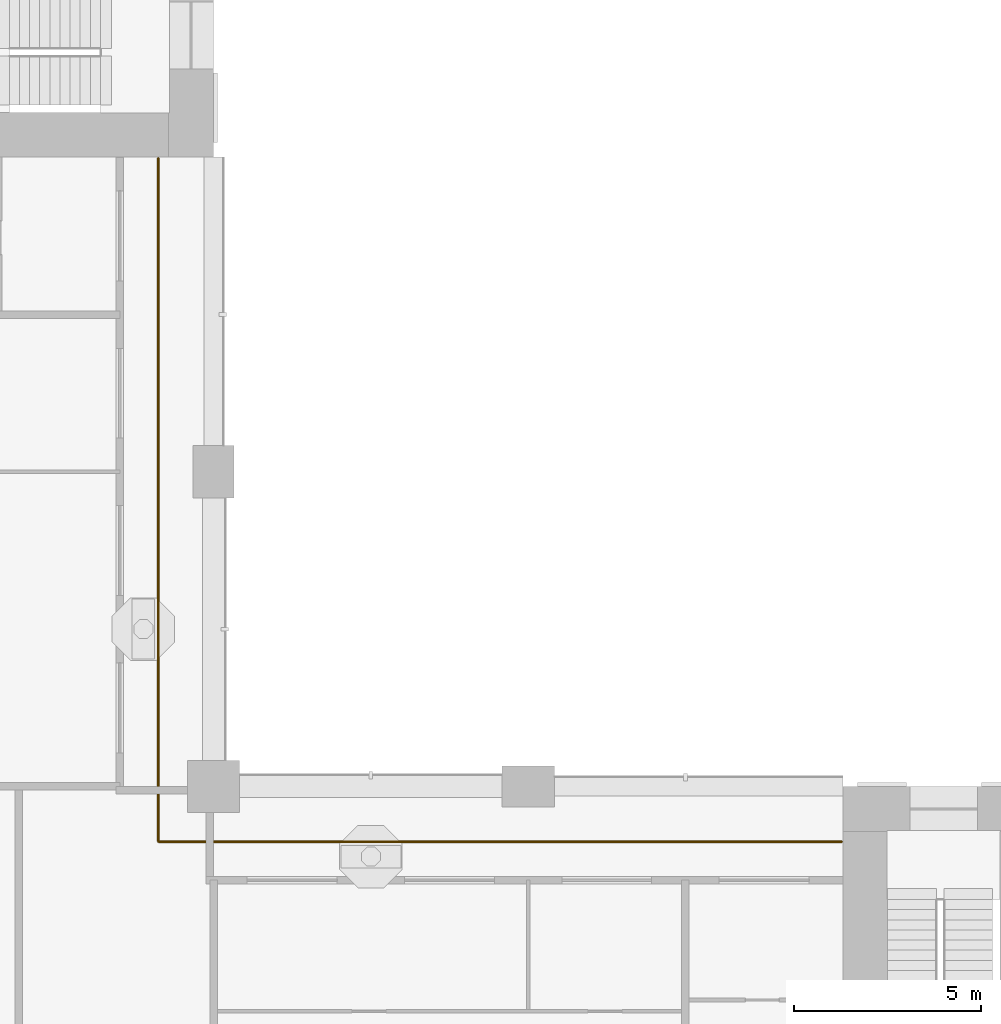
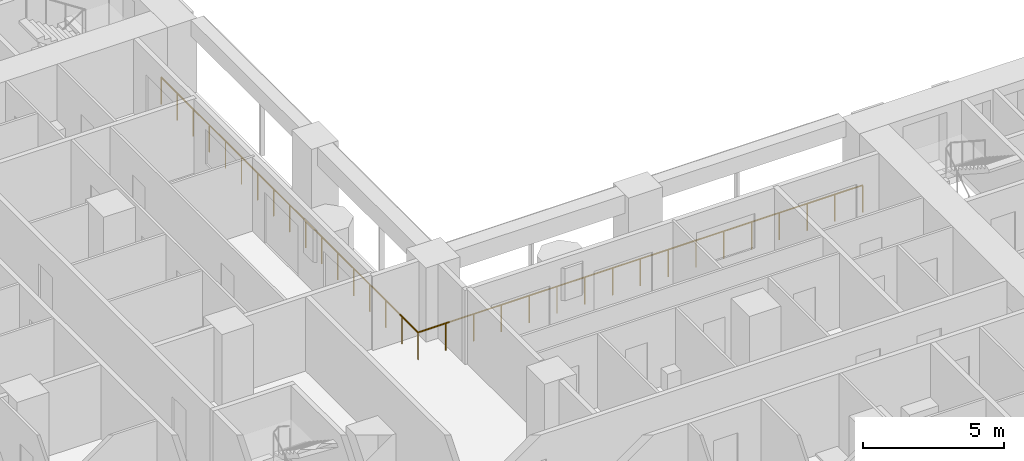
# One storey, part 17 of 22: 1 railing.
"""IFC4 building model written with IfcOpenShell, lengths in metres."""

from ifc_helpers import new_model, si_unit, direction, frame, origin, origin_2d, place, context, subcontext, project, spatial, circle, extrude, material, type_object, element, save


model = new_model("IFC4")

# Units and contexts
model_context = context("Model", 3, precision=1e-05, world=origin(), true_north=direction((0.0, 1.0)))
body_context = subcontext(model_context, "Body", "Model", "MODEL_VIEW")
ifc_project = project(units=[si_unit("LENGTHUNIT", "METRE"), si_unit("AREAUNIT", "SQUARE_METRE"), si_unit("VOLUMEUNIT", "CUBIC_METRE"), si_unit("PLANEANGLEUNIT", "RADIAN"), si_unit("MASSUNIT", "GRAM", prefix="KILO")], contexts=[model_context])

# Site, building, storey
site_placement = place(None, origin())
site = spatial("IfcSite", under=ifc_project, at=site_placement, CompositionType="ELEMENT")
building_placement = place(site_placement, origin())
building = spatial("IfcBuilding", under=site, at=building_placement, Name="Vermilion Gate Residences", CompositionType="ELEMENT")
storey_placement = place(building_placement, frame((0.0, 0.0, 60.199951171875)))
storey = spatial("IfcBuildingStorey", under=building, at=storey_placement, Name="L14", CompositionType="ELEMENT", Elevation=60.199951171875)

# Railing
ifc_material = material(Name="Stainless steel and toughened glass", Category="steel")
railing_type = type_object("IfcRailingType", Name="LOGGIA GUARD STEEL AND GLASS 1200", PredefinedType="GUARDRAIL", material=ifc_material)
railing_placement = place(storey_placement, frame((41.97802734375, 23.72509765625, 0.0)))
element("IfcRailing", 1, at=railing_placement, inside=storey, type_object=railing_type, Name="Loggia guard", PredefinedType="GUARDRAIL", context=body_context, shape_type="SweptSolid", body=[
    extrude(circle(Radius=0.030029296875, at=origin_2d()), frame((0.0, 0.0, 1.169921875), z_axis=(-1.0, 0.0, 0.0), x_axis=(0.0, -1.0, 0.0)), (0.0, 0.0, 1.0), 18.2529296875),
    extrude(circle(Radius=0.030029296875, at=origin_2d()), frame((-18.2529296875, 0.0, 1.169921875), z_axis=(0.0, 1.0, 0.0), x_axis=(-1.0, 0.0, 0.0)), (0.0, 0.0, 1.0), 18.2529296875),
    extrude(circle(Radius=0.02490234375, at=origin_2d()), origin(), (0.0, 0.0, 1.0), 1.139892578125),
    extrude(circle(Radius=0.02490234375, at=origin_2d()), frame((-1.140869140625, 0.0, 0.0)), (0.0, 0.0, 1.0), 1.139892578125),
    extrude(circle(Radius=0.02490234375, at=origin_2d()), frame((-2.28173828125, 0.0, 0.0)), (0.0, 0.0, 1.0), 1.139892578125),
    extrude(circle(Radius=0.02490234375, at=origin_2d()), frame((-3.42236328125, 0.0, 0.0)), (0.0, 0.0, 1.0), 1.139892578125),
    extrude(circle(Radius=0.02490234375, at=origin_2d()), frame((-4.563232421875, 0.0, 0.0)), (0.0, 0.0, 1.0), 1.139892578125),
    extrude(circle(Radius=0.02490234375, at=origin_2d()), frame((-5.7041015625, 0.0, 0.0)), (0.0, 0.0, 1.0), 1.139892578125),
    extrude(circle(Radius=0.02490234375, at=origin_2d()), frame((-6.8447265625, 0.0, 0.0)), (0.0, 0.0, 1.0), 1.139892578125),
    extrude(circle(Radius=0.02490234375, at=origin_2d()), frame((-7.985595703125, 0.0, 0.0)), (0.0, 0.0, 1.0), 1.139892578125),
    extrude(circle(Radius=0.02490234375, at=origin_2d()), frame((-9.12646484375, 0.0, 0.0)), (0.0, 0.0, 1.0), 1.139892578125),
    extrude(circle(Radius=0.02490234375, at=origin_2d()), frame((-10.267333984375, 0.0, 0.0)), (0.0, 0.0, 1.0), 1.139892578125),
    extrude(circle(Radius=0.02490234375, at=origin_2d()), frame((-11.408203125, 0.0, 0.0)), (0.0, 0.0, 1.0), 1.139892578125),
    extrude(circle(Radius=0.02490234375, at=origin_2d()), frame((-12.548828125, 0.0, 0.0)), (0.0, 0.0, 1.0), 1.139892578125),
    extrude(circle(Radius=0.02490234375, at=origin_2d()), frame((-13.689697265625, 0.0, 0.0)), (0.0, 0.0, 1.0), 1.139892578125),
    extrude(circle(Radius=0.02490234375, at=origin_2d()), frame((-14.83056640625, 0.0, 0.0)), (0.0, 0.0, 1.0), 1.139892578125),
    extrude(circle(Radius=0.02490234375, at=origin_2d()), frame((-15.97119140625, 0.0, 0.0)), (0.0, 0.0, 1.0), 1.139892578125),
    extrude(circle(Radius=0.02490234375, at=origin_2d()), frame((-17.112060546875, 0.0, 0.0)), (0.0, 0.0, 1.0), 1.139892578125),
    extrude(circle(Radius=0.02490234375, at=origin_2d()), frame((-18.2529296875, 0.0, 0.0)), (0.0, 0.0, 1.0), 1.139892578125),
    extrude(circle(Radius=0.02490234375, at=origin_2d()), frame((-18.2529296875, 1.140869140625, 0.0)), (0.0, 0.0, 1.0), 1.139892578125),
    extrude(circle(Radius=0.02490234375, at=origin_2d()), frame((-18.2529296875, 2.28173828125, 0.0)), (0.0, 0.0, 1.0), 1.139892578125),
    extrude(circle(Radius=0.02490234375, at=origin_2d()), frame((-18.2529296875, 3.42236328125, 0.0)), (0.0, 0.0, 1.0), 1.139892578125),
    extrude(circle(Radius=0.02490234375, at=origin_2d()), frame((-18.2529296875, 4.563232421875, 0.0)), (0.0, 0.0, 1.0), 1.139892578125),
    extrude(circle(Radius=0.02490234375, at=origin_2d()), frame((-18.2529296875, 5.7041015625, 0.0)), (0.0, 0.0, 1.0), 1.139892578125),
    extrude(circle(Radius=0.02490234375, at=origin_2d()), frame((-18.2529296875, 6.8447265625, 0.0)), (0.0, 0.0, 1.0), 1.139892578125),
    extrude(circle(Radius=0.02490234375, at=origin_2d()), frame((-18.2529296875, 7.985595703125, 0.0)), (0.0, 0.0, 1.0), 1.139892578125),
    extrude(circle(Radius=0.02490234375, at=origin_2d()), frame((-18.2529296875, 9.12646484375, 0.0)), (0.0, 0.0, 1.0), 1.139892578125),
    extrude(circle(Radius=0.02490234375, at=origin_2d()), frame((-18.2529296875, 10.267333984375, 0.0)), (0.0, 0.0, 1.0), 1.139892578125),
    extrude(circle(Radius=0.02490234375, at=origin_2d()), frame((-18.2529296875, 11.408203125, 0.0)), (0.0, 0.0, 1.0), 1.139892578125),
    extrude(circle(Radius=0.02490234375, at=origin_2d()), frame((-18.2529296875, 12.548828125, 0.0)), (0.0, 0.0, 1.0), 1.139892578125),
    extrude(circle(Radius=0.02490234375, at=origin_2d()), frame((-18.2529296875, 13.689697265625, 0.0)), (0.0, 0.0, 1.0), 1.139892578125),
    extrude(circle(Radius=0.02490234375, at=origin_2d()), frame((-18.2529296875, 14.83056640625, 0.0)), (0.0, 0.0, 1.0), 1.139892578125),
    extrude(circle(Radius=0.02490234375, at=origin_2d()), frame((-18.2529296875, 15.97119140625, 0.0)), (0.0, 0.0, 1.0), 1.139892578125),
    extrude(circle(Radius=0.02490234375, at=origin_2d()), frame((-18.2529296875, 17.112060546875, 0.0)), (0.0, 0.0, 1.0), 1.139892578125),
    extrude(circle(Radius=0.02490234375, at=origin_2d()), frame((-18.2529296875, 18.2529296875, 0.0)), (0.0, 0.0, 1.0), 1.139892578125),
])

save(model, "model.ifc")
